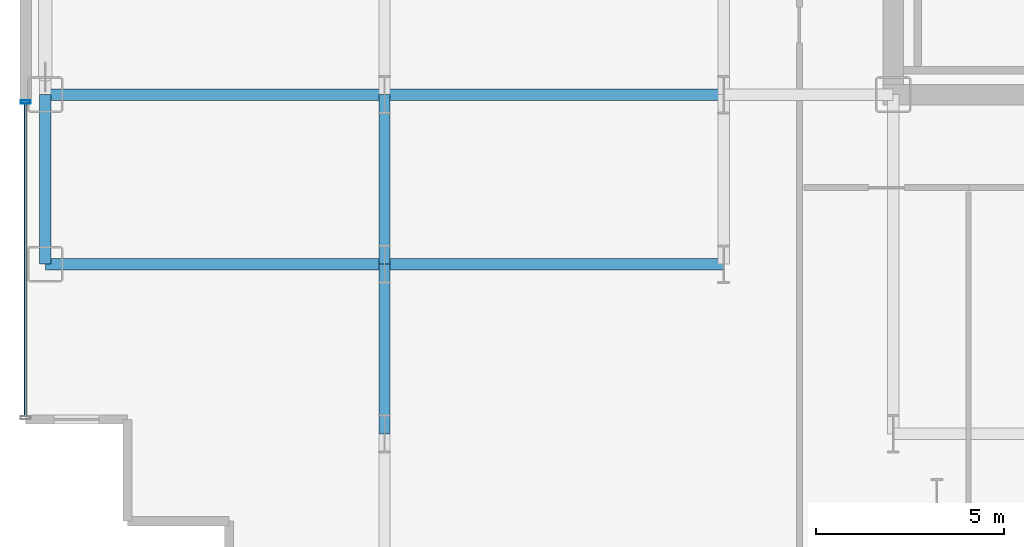
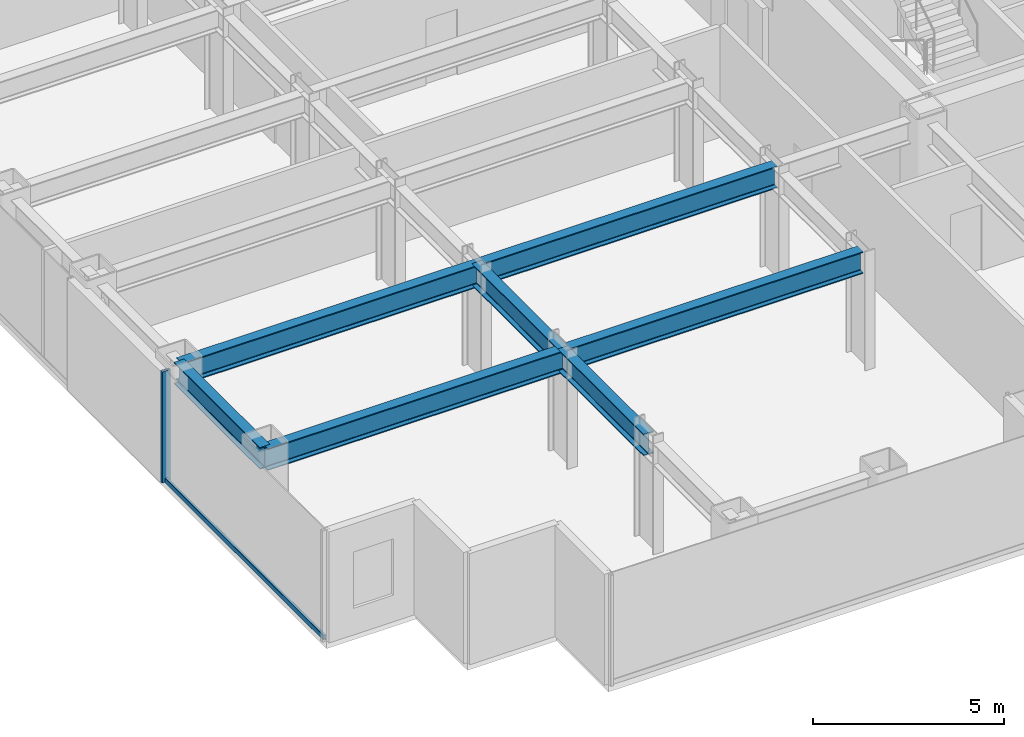
# One storey, part 3 of 28: 7 beams, 2 members, 1 element without a shape of its own.
"""IFC4 building model written with IfcOpenShell, lengths in metres."""

from ifc_helpers import new_model, si_unit, direction, frame, origin, origin_2d, place, context, subcontext, project, spatial, hollow_rectangle, i_section, extrude, source, transform, mapped, material, layer, layer_set, material_profile, profile_set, type_object, element, aggregate, save


model = new_model("IFC4")

# Units and contexts
model_context = context("Model", 3, precision=1e-05, world=origin(), true_north=direction((0.0, 1.0)))
body_context = subcontext(model_context, "Body", "Model", "MODEL_VIEW")
ifc_project = project(units=[si_unit("LENGTHUNIT", "METRE"), si_unit("AREAUNIT", "SQUARE_METRE"), si_unit("VOLUMEUNIT", "CUBIC_METRE"), si_unit("PLANEANGLEUNIT", "RADIAN"), si_unit("MASSUNIT", "GRAM", prefix="KILO")], contexts=[model_context])

# Site, building, storey
site_placement = place(None, origin())
site = spatial("IfcSite", under=ifc_project, at=site_placement, CompositionType="ELEMENT")
building_placement = place(site_placement, origin())
building = spatial("IfcBuilding", under=site, at=building_placement, Name="Nefas-Gora Pilgrimage Tower", CompositionType="ELEMENT")
storey_placement = place(building_placement, frame((0.0, 0.0, 102.199951171875)))
storey = spatial("IfcBuildingStorey", under=building, at=storey_placement, Name="L24", CompositionType="ELEMENT", Elevation=102.199951171875)

# Beams
ifc_material_1 = material(Name="Steel S355", Category="steel")
ifc_material_profile_1 = material_profile(ifc_material_1, i_section(OverallWidth=0.300048828125, OverallDepth=0.699951171875, WebThickness=0.01708984375, FlangeThickness=0.031982421875, FilletRadius=0.027099609375, at=origin_2d()), Name="HEB 700")
ifc_profile_set_1 = profile_set([ifc_material_profile_1], Name="Steel S355")
beam_type_1 = type_object("IfcBeamType", Name="BM-SPN-HEB600", PredefinedType="SPANDREL", material=ifc_profile_set_1)
shared_shape_1 = source(origin(), body_context, "Body", "SweptSolid", [
    extrude(i_section(OverallWidth=0.300048828125, OverallDepth=0.699951171875, WebThickness=0.01708984375, FlangeThickness=0.031982421875, FilletRadius=0.027099609375, at=origin_2d()), origin(), (0.0, 0.0, 1.0), 4.5),
])
beam_placement = place(storey_placement, frame((-33.75, -13.5, 3.199951171875), z_axis=(0.0, 1.0, 0.0), x_axis=(-1.0, 0.0, 0.0)))
element("IfcBeam", 1, at=beam_placement, inside=storey, type_object=beam_type_1, Name="L24 SP-01 beam", PredefinedType="SPANDREL", context=body_context, shape_type="MappedRepresentation", body=[
    mapped(shared_shape_1, transform((0.0, 0.0, 0.0), x_axis=(1.0, 0.0, 0.0), y_axis=(0.0, 1.0, 0.0), z_axis=(0.0, 0.0, 1.0), scale=1.0)),
])
ifc_material_profile_2 = material_profile(ifc_material_1, i_section(OverallWidth=0.300048828125, OverallDepth=0.699951171875, WebThickness=0.01708984375, FlangeThickness=0.031982421875, FilletRadius=0.027099609375, at=origin_2d()), Name="HEB 700")
ifc_profile_set_2 = profile_set([ifc_material_profile_2], Name="Steel S355")
beam_type_2 = type_object("IfcBeamType", Name="BM-GIR-HEB700", PredefinedType="BEAM", material=ifc_profile_set_2)
shared_shape_2 = source(origin(), body_context, "Body", "SweptSolid", [
    extrude(i_section(OverallWidth=0.300048828125, OverallDepth=0.699951171875, WebThickness=0.01708984375, FlangeThickness=0.031982421875, FilletRadius=0.027099609375, at=origin_2d()), origin(), (0.0, 0.0, 1.0), 9.0),
])
for number, where, z_axis, x_axis, name in (
    (2, (-33.75, -13.5, 3.199951171875), (1.0, 0.0, 0.0), (0.0, 1.0, 0.0), "L24 G-02 beam"),
    (3, (-33.75, -9.0, 3.199951171875), (1.0, 0.0, 0.0), (0.0, 1.0, 0.0), "L24 G-02 beam"),
    (4, (-24.75, -13.5, 3.199951171875), (1.0, 0.0, 0.0), (0.0, 1.0, 0.0), "L24 G-02 beam"),
    (5, (-24.75, -9.0, 3.199951171875), (1.0, 0.0, 0.0), (0.0, 1.0, 0.0), "L24 G-02 beam"),
):
    element("IfcBeam", number, at=place(storey_placement, frame(where, z_axis=z_axis, x_axis=x_axis)), inside=storey, type_object=beam_type_2, Name=name, PredefinedType="BEAM", context=body_context, shape_type="MappedRepresentation", body=[
        mapped(shared_shape_2, transform((0.0, 0.0, 0.0), x_axis=(1.0, 0.0, 0.0), y_axis=(0.0, 1.0, 0.0), z_axis=(0.0, 0.0, 1.0), scale=1.0)),
    ])
shared_shape_3 = source(origin(), body_context, "Body", "SweptSolid", [
    extrude(i_section(OverallWidth=0.300048828125, OverallDepth=0.699951171875, WebThickness=0.01708984375, FlangeThickness=0.031982421875, FilletRadius=0.027099609375, at=origin_2d()), origin(), (0.0, 0.0, 1.0), 4.5),
])
for number, where, z_axis, x_axis, name in (
    (6, (-24.75, -18.0, 3.199951171875), (0.0, 1.0, 0.0), (-1.0, 0.0, 0.0), "L24 G-02 beam"),
    (7, (-24.75, -13.5, 3.199951171875), (0.0, 1.0, 0.0), (-1.0, 0.0, 0.0), "L24 G-02 beam"),
):
    element("IfcBeam", number, at=place(storey_placement, frame(where, z_axis=z_axis, x_axis=x_axis)), inside=storey, type_object=beam_type_2, Name=name, PredefinedType="BEAM", context=body_context, shape_type="MappedRepresentation", body=[
        mapped(shared_shape_3, transform((0.0, 0.0, 0.0), x_axis=(1.0, 0.0, 0.0), y_axis=(0.0, 1.0, 0.0), z_axis=(0.0, 0.0, 1.0), scale=1.0)),
    ])

# Curtain wall, members
ifc_material_2 = material(Name="Dark ceramic-fritted solar-control aluminium-glass curtain wall", Category="aluminium")
ifc_layer = layer(ifc_material_2, 0.219970703125)
ifc_layer_set = layer_set([ifc_layer], Name="Dark ceramic-fritted solar-control aluminium-glass curtain wall")
curtain_wall_type = type_object("IfcCurtainWallType", Name="CW-SYS-2", PredefinedType="NOTDEFINED", material=ifc_layer_set)
curtain_wall_placement = place(storey_placement, origin())
curtain_wall = element("IfcCurtainWall", 8, at=curtain_wall_placement, inside=storey, type_object=curtain_wall_type, Name="L24 Unitised Curtain Wall CW2", PredefinedType="NOTDEFINED")
ifc_material_3 = material(Name="Anodised architectural aluminium", Category="aluminium")
ifc_material_profile_3 = material_profile(ifc_material_3, hollow_rectangle(XDim=0.090087890625, YDim=0.260009765625, WallThickness=0.006103515625, InnerFilletRadius=0.006103515625, OuterFilletRadius=0.011962890625, at=origin_2d()), Name="ALU MULLION 90x260")
ifc_profile_set_3 = profile_set([ifc_material_profile_3], Name="Anodised architectural aluminium")
member_type_1 = type_object("IfcMemberType", Name="CWM-MUL-2", PredefinedType="MULLION", material=ifc_profile_set_3)
shared_shape_4 = source(origin(), body_context, "Body", "SweptSolid", [
    extrude(hollow_rectangle(XDim=0.090087890625, YDim=0.260009765625, WallThickness=0.006103515625, InnerFilletRadius=0.006103515625, OuterFilletRadius=0.011962890625, at=origin_2d()), origin(), (0.0, 0.0, 1.0), 3.550048828125),
])
member_1_placement = place(storey_placement, frame((-34.27001953125, -9.195068359375, 0.0), z_axis=(0.0, 0.0, 1.0), x_axis=(0.0, -1.0, 0.0)))
member_1 = element("IfcMember", 9, at=member_1_placement, type_object=member_type_1, Name="CW2 Mullion 1", PredefinedType="MULLION", context=body_context, shape_type="MappedRepresentation", body=[
    mapped(shared_shape_4, transform((0.0, 0.0, 0.0), x_axis=(1.0, 0.0, 0.0), y_axis=(0.0, 1.0, 0.0), z_axis=(0.0, 0.0, 1.0), scale=1.0)),
])
ifc_material_profile_4 = material_profile(ifc_material_3, hollow_rectangle(XDim=0.080078125, YDim=0.159912109375, WallThickness=0.00439453125, InnerFilletRadius=0.00439453125, OuterFilletRadius=0.009033203125, at=origin_2d()), Name="ALU TRANSOM 80x160")
ifc_profile_set_4 = profile_set([ifc_material_profile_4], Name="Anodised architectural aluminium")
member_type_2 = type_object("IfcMemberType", Name="CWM-TRN-2", PredefinedType="USERDEFINED", material=ifc_profile_set_4)
shared_shape_5 = source(origin(), body_context, "Body", "SweptSolid", [
    extrude(hollow_rectangle(XDim=0.080078125, YDim=0.159912109375, WallThickness=0.00439453125, InnerFilletRadius=0.00439453125, OuterFilletRadius=0.009033203125, at=origin_2d()), origin(), (0.0, 0.0, 1.0), 8.2900390625),
])
member_2_placement = place(storey_placement, frame((-34.27001953125, -9.239990234375, 0.050048828125), z_axis=(0.0, -1.0, 0.0), x_axis=(1.0, 0.0, 0.0)))
member_2 = element("IfcMember", 10, at=member_2_placement, type_object=member_type_2, Name="CW2 Spandrel Transom", ObjectType="TRANSOM", PredefinedType="USERDEFINED", context=body_context, shape_type="MappedRepresentation", body=[
    mapped(shared_shape_5, transform((0.0, 0.0, 0.0), x_axis=(1.0, 0.0, 0.0), y_axis=(0.0, 1.0, 0.0), z_axis=(0.0, 0.0, 1.0), scale=1.0)),
])
aggregate(curtain_wall, [member_1, member_2])

save(model, "model.ifc")
